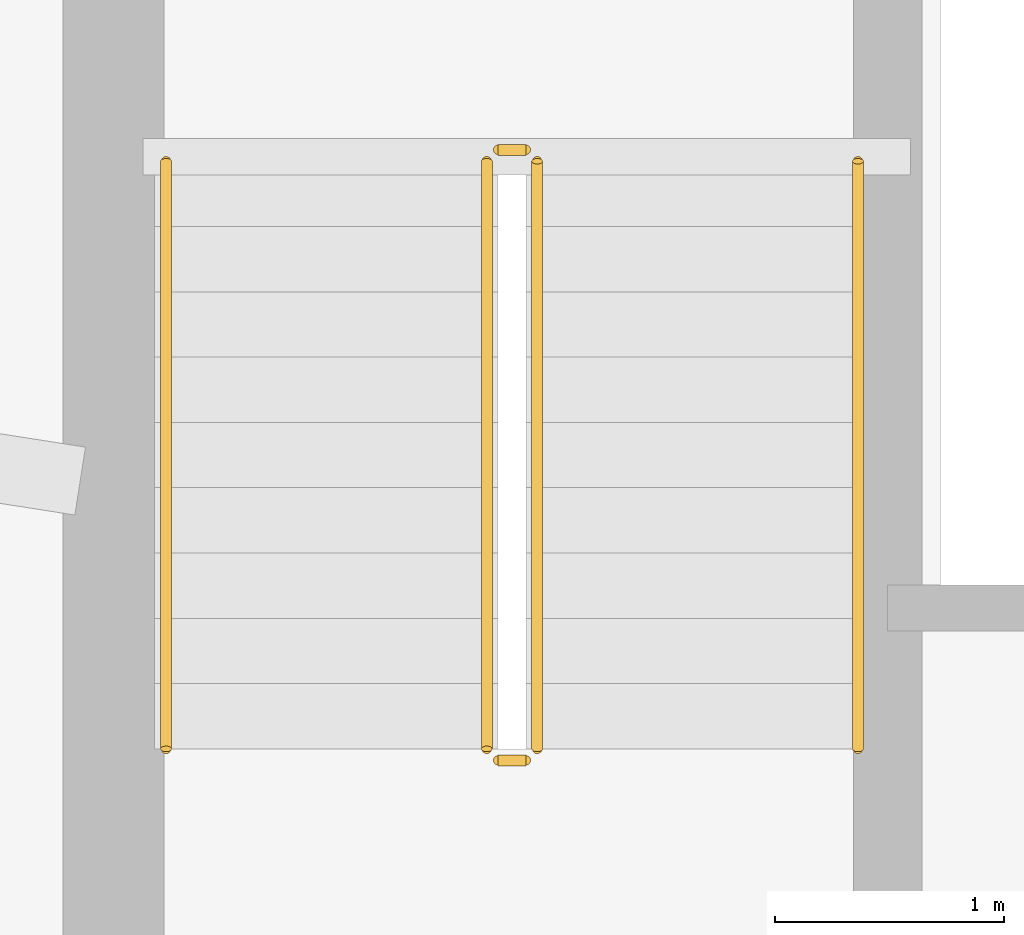
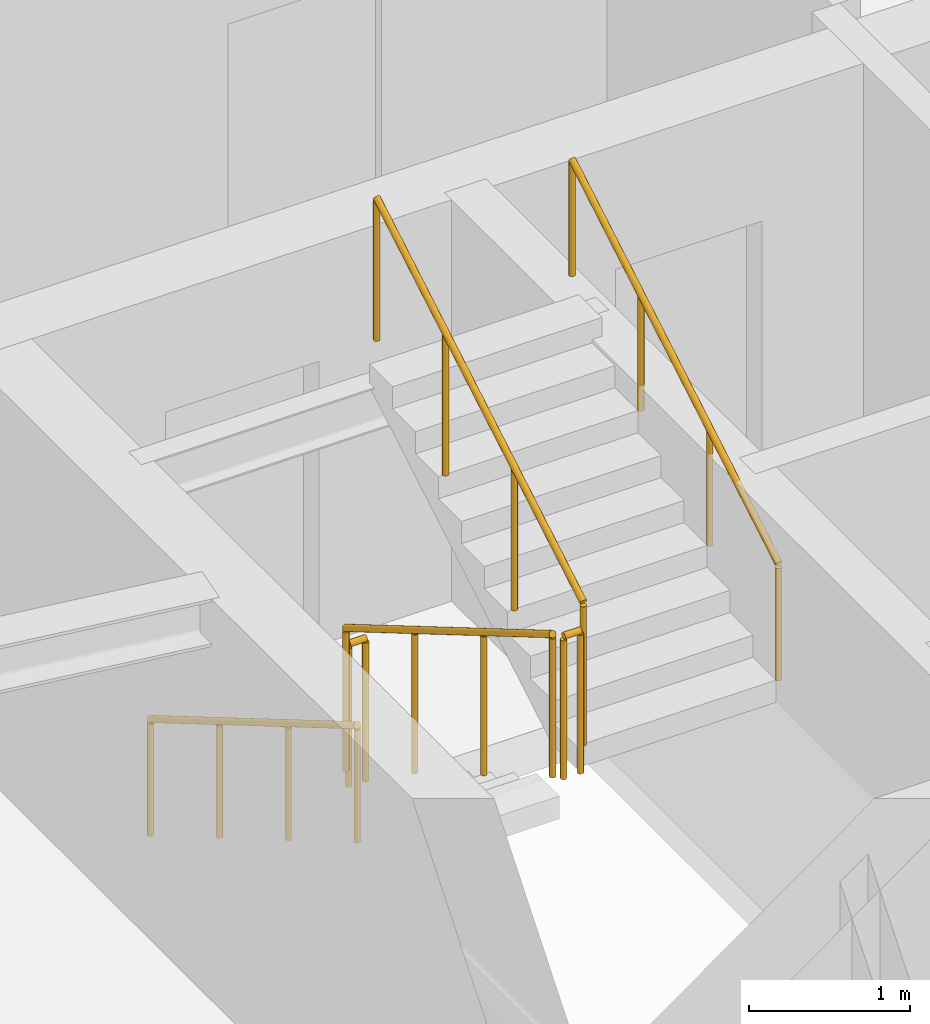
# One storey, part 9 of 10: 6 railings.
"""IFC4 building model written with IfcOpenShell, lengths in metres."""

import ifcopenshell
import ifcopenshell.guid

model = None  # the IFC model being written
_history = None  # IfcOwnerHistory: only IFC2X3 demands one
_inside = {}  # id of a spatial element -> (the spatial element, [elements in it])
_under = {}  # id of a project, library or spatial element -> (it, [spatial elements below it])
_declared = {}  # id of a project -> (the project, [libraries it declares])
_typed = {}  # id of a type object -> (the type object, [elements of that type])
_made_of = {}  # id of a material, layer set ... -> (it, [elements and type objects made of it])


def new_model(schema):
    """Start an empty IFC model of exactly this schema.

    Asked for "IFC4X3", IfcOpenShell would pick the latest addendum, in which some entities
    have other attributes; the version numbers below select the first issue.
    IFC2X3 requires an IfcOwnerHistory on every rooted entity: one is made here for all.
    """
    global model, _history
    if schema == "IFC4X3":
        model = ifcopenshell.file(schema_version=(4, 3, 0, 0))
    else:
        model = ifcopenshell.file(schema=schema)
    _inside.clear()
    _under.clear()
    _declared.clear()
    _typed.clear()
    _made_of.clear()
    _history = None
    if model.schema == "IFC2X3":
        org = make("IfcOrganization", Name="unknown")
        user = make(
            "IfcPersonAndOrganization",
            ThePerson=make("IfcPerson", FamilyName="unknown"),
            TheOrganization=org,
        )
        app = make(
            "IfcApplication",
            ApplicationDeveloper=org,
            Version="unknown",
            ApplicationFullName="unknown",
            ApplicationIdentifier="unknown",
        )
        _history = make(
            "IfcOwnerHistory",
            OwningUser=user,
            OwningApplication=app,
            ChangeAction="ADDED",
            CreationDate=0,
        )
    return model


def make(cls, **values):
    """One entity of the class cls with the attributes given. An attribute that is None is left unset."""
    return model.create_entity(
        cls, **{name: value for name, value in values.items() if value is not None}
    )


def rooted(cls, **values):
    """An entity with a GlobalId (a new one), such as an element, a storey or a relation."""
    return make(cls, GlobalId=ifcopenshell.guid.new(), OwnerHistory=_history, **values)


def si_unit(unit_type, name, prefix=None):
    """IfcSIUnit, for example si_unit("LENGTHUNIT", "METRE", prefix="MILLI")."""
    return make("IfcSIUnit", UnitType=unit_type, Prefix=prefix, Name=name)


def assignment(units):
    """IfcUnitAssignment: the units of a project."""
    return None if units is None else make("IfcUnitAssignment", Units=units)


def point(xyz):
    """IfcCartesianPoint."""
    return None if xyz is None else make("IfcCartesianPoint", Coordinates=xyz)


def direction(xyz):
    """IfcDirection."""
    return None if xyz is None else make("IfcDirection", DirectionRatios=xyz)


def frame(location, z_axis=None, x_axis=None):
    """IfcAxis2Placement3D, a coordinate frame: its origin and axes. An axis left out is left unset."""
    return make(
        "IfcAxis2Placement3D",
        Location=point(location),
        Axis=direction(z_axis),
        RefDirection=direction(x_axis),
    )


def frame_2d(location, x_axis=None):
    """IfcAxis2Placement2D, a coordinate frame in the plane: its origin and x axis."""
    return make(
        "IfcAxis2Placement2D", Location=point(location), RefDirection=direction(x_axis)
    )


def origin():
    """The frame at (0, 0, 0) with its axes left unset."""
    return frame((0.0, 0.0, 0.0))


def origin_2d():
    """The frame at (0, 0) in the plane with its x axis left unset."""
    return frame_2d((0.0, 0.0))


def place(relative_to, where):
    """IfcLocalPlacement: puts the frame where relative to a parent placement (None: the world)."""
    return make(
        "IfcLocalPlacement", PlacementRelTo=relative_to, RelativePlacement=where
    )


def context(
    kind, dimensions, precision=None, world=None, true_north=None, identifier=None
):
    """IfcGeometricRepresentationContext, for example the 3D "Model" context."""
    return make(
        "IfcGeometricRepresentationContext",
        ContextIdentifier=identifier,
        ContextType=kind,
        CoordinateSpaceDimension=dimensions,
        Precision=precision,
        WorldCoordinateSystem=world,
        TrueNorth=true_north,
    )


def subcontext(parent, identifier, kind, view, scale=None):
    """IfcGeometricRepresentationSubContext, for example "Body" below "Model"."""
    return make(
        "IfcGeometricRepresentationSubContext",
        ContextIdentifier=identifier,
        ContextType=kind,
        ParentContext=parent,
        TargetScale=scale,
        TargetView=view,
    )


def project(units=None, contexts=None):
    """IfcProject with its units and contexts."""
    return rooted(
        "IfcProject",
        Name="project",
        RepresentationContexts=contexts,
        UnitsInContext=assignment(units),
    )


def spatial(cls, under=None, at=None, **own):
    """A site, building, storey or space (cls), placed at a placement, below another one or the project."""
    s = rooted(cls, ObjectPlacement=at, **own)
    if under is not None:
        _under.setdefault(under.id(), (under, []))[1].append(s)
    return s


def profile(cls, at=None, kind="AREA", **sizes):
    """A parametric profile (cls). Its sizes go by their IFC names, for example OverallWidth=200.0."""
    return make(cls, ProfileType=kind, Position=at, **sizes)


def circle(**sizes):
    """IfcCircleProfileDef."""
    return profile("IfcCircleProfileDef", **sizes)


def extrude(swept, where, along, depth):
    """IfcExtrudedAreaSolid: the profile swept, set in the frame where, extruded along a direction by depth."""
    return make(
        "IfcExtrudedAreaSolid",
        SweptArea=swept,
        Position=where,
        ExtrudedDirection=direction(along),
        Depth=depth,
    )


def shape(context_of_items, identifier, shape_type, items):
    """IfcShapeRepresentation: the items that make up one representation, for example the "Body"."""
    return make(
        "IfcShapeRepresentation",
        ContextOfItems=context_of_items,
        RepresentationIdentifier=identifier,
        RepresentationType=shape_type,
        Items=items,
    )


def material(Name=None, Category=None):
    """IfcMaterial."""
    return make("IfcMaterial", Name=Name, Category=Category)


def made_of(thing, what):
    """Note that an element or type object is made of a material, layer set ...; save() writes the relation."""
    if what is not None:
        _made_of.setdefault(what.id(), (what, []))[1].append(thing)
    return thing


def type_object(cls, material=None, **own):
    """A type object (cls), such as IfcWallType, which elements share."""
    return made_of(rooted(cls, **own), material)


def element(
    cls,
    number,
    at=None,
    inside=None,
    cuts=None,
    type_object=None,
    material=None,
    context=None,
    identifier="Body",
    shape_type=None,
    held_by="IfcProductDefinitionShape",
    body=None,
    shapes=None,
    **own,
):
    """One element of the class cls, such as IfcWall. Its Tag is "e" and its number.

    at: its placement. inside: the storey or other place that contains it. cuts: it is an
    opening in that element (IfcRelVoidsElement). A single representation is given by context,
    identifier, shape_type and body (its items); several are given by shapes. held_by: the class
    of the entity that holds the representations. save() writes the other relations.
    """
    e = rooted(cls, Tag="e%d" % number, ObjectPlacement=at, **own)
    if body is not None:
        shapes = [shape(context, identifier, shape_type, body)]
    if shapes is not None:
        e.Representation = make(held_by, Representations=shapes)
    if inside is not None:
        _inside.setdefault(inside.id(), (inside, []))[1].append(e)
    if cuts is not None:
        rooted(
            "IfcRelVoidsElement", RelatingBuildingElement=cuts, RelatedOpeningElement=e
        )
    if type_object is not None:
        _typed.setdefault(type_object.id(), (type_object, []))[1].append(e)
    return made_of(e, material)


def aggregate(whole, parts):
    """IfcRelAggregates: a whole, such as a stair, and the parts it consists of."""
    return rooted("IfcRelAggregates", RelatingObject=whole, RelatedObjects=parts)


def save(model, path):
    """Write the relations noted so far, then the file.

    IfcRelAggregates (storeys below a building ...), IfcRelContainedInSpatialStructure (elements
    in a storey), IfcRelDefinesByType, IfcRelAssociatesMaterial and IfcRelDeclares: one each for
    every whole, place, type object, material and project.
    """
    for whole, parts in _under.values():
        aggregate(whole, parts)
    for where, things in _inside.values():
        rooted(
            "IfcRelContainedInSpatialStructure",
            RelatedElements=things,
            RelatingStructure=where,
        )
    for kind, things in _typed.values():
        rooted("IfcRelDefinesByType", RelatedObjects=things, RelatingType=kind)
    for what, things in _made_of.values():
        rooted("IfcRelAssociatesMaterial", RelatedObjects=things, RelatingMaterial=what)
    for by, libraries in _declared.values():
        rooted("IfcRelDeclares", RelatingContext=by, RelatedDefinitions=libraries)
    model.write(path)


model = new_model("IFC4")

# Units and contexts
model_context = context("Model", 3, precision=1e-05, world=origin(), true_north=direction((0.0, 1.0)))
body_context = subcontext(model_context, "Body", "Model", "MODEL_VIEW")
ifc_project = project(units=[si_unit("LENGTHUNIT", "METRE"), si_unit("AREAUNIT", "SQUARE_METRE"), si_unit("VOLUMEUNIT", "CUBIC_METRE"), si_unit("PLANEANGLEUNIT", "RADIAN"), si_unit("MASSUNIT", "GRAM", prefix="KILO")], contexts=[model_context])

# Site, building, storey
site_placement = place(None, origin())
site = spatial("IfcSite", under=ifc_project, at=site_placement, CompositionType="ELEMENT")
building_placement = place(site_placement, origin())
building = spatial("IfcBuilding", under=site, at=building_placement, Name="Qobustan Lattice House", CompositionType="ELEMENT")
storey_placement = place(building_placement, frame((0.0, 0.0, 231.64990234375)))
storey = spatial("IfcBuildingStorey", under=building, at=storey_placement, Name="L65", CompositionType="ELEMENT", Elevation=231.64990234375)

# Railings
ifc_material_1 = material(Name="Brushed stainless steel handrail", Category="steel")
railing_type_1 = type_object("IfcRailingType", Name="RAL-HR-920", PredefinedType="HANDRAIL", material=ifc_material_1)
railing_1_placement = place(storey_placement, frame((-18.199951171875, 3.5, 0.16748046875)))
element("IfcRailing", 1, at=railing_1_placement, inside=storey, type_object=railing_type_1, Name="L65 ST-W1 stair handrail 1", PredefinedType="HANDRAIL", context=body_context, shape_type="SweptSolid", body=[
    extrude(circle(Radius=0.02392578125, at=origin_2d()), frame((0.0, 0.0, 0.8759765625), z_axis=(0.0, -0.862113467892, 0.50671527358), x_axis=(1.0, 0.0, 0.0)), (0.0, 0.0, 1.0), 2.97509765625),
    extrude(circle(Radius=0.02099609375, at=origin_2d()), origin(), (0.0, 0.0, 1.0), 0.851806640625),
    extrude(circle(Radius=0.02099609375, at=origin_2d()), frame((0.0, -0.85498046875, 0.50244140625)), (0.0, 0.0, 1.0), 0.851806640625),
    extrude(circle(Radius=0.02099609375, at=origin_2d()), frame((0.0, -1.7099609375, 1.005126953125)), (0.0, 0.0, 1.0), 0.851806640625),
    extrude(circle(Radius=0.02099609375, at=origin_2d()), frame((0.0, -2.56494140625, 1.507568359375)), (0.0, 0.0, 1.0), 0.851806640625),
])
railing_2_placement = place(storey_placement, frame((-15.179931640625, 0.93505859375, 1.842529296875)))
element("IfcRailing", 2, at=railing_2_placement, inside=storey, type_object=railing_type_1, Name="L65 ST-W1 stair handrail 2", PredefinedType="HANDRAIL", context=body_context, shape_type="SweptSolid", body=[
    extrude(circle(Radius=0.02392578125, at=origin_2d()), frame((0.0, 0.0, 0.8759765625), z_axis=(0.0, 0.862113467892, 0.50671527358), x_axis=(-1.0, 0.0, 0.0)), (0.0, 0.0, 1.0), 2.97509765625),
    extrude(circle(Radius=0.02099609375, at=origin_2d()), origin(), (0.0, 0.0, 1.0), 0.851806640625),
    extrude(circle(Radius=0.02099609375, at=origin_2d()), frame((0.0, 0.85498046875, 0.50244140625)), (0.0, 0.0, 1.0), 0.851806640625),
    extrude(circle(Radius=0.02099609375, at=origin_2d()), frame((0.0, 1.7099609375, 1.005126953125)), (0.0, 0.0, 1.0), 0.851806640625),
    extrude(circle(Radius=0.02099609375, at=origin_2d()), frame((0.0, 2.56494140625, 1.507568359375)), (0.0, 0.0, 1.0), 0.851806640625),
])
ifc_material_2 = material(Name="Painted galvanized steel guardrail", Category="steel")
railing_type_2 = type_object("IfcRailingType", Name="RAL-STG-1150", PredefinedType="GUARDRAIL", material=ifc_material_2)
railing_3_placement = place(storey_placement, frame((-16.800048828125, 3.5, 0.16748046875)))
element("IfcRailing", 3, at=railing_3_placement, inside=storey, type_object=railing_type_2, Name="L65 ST-W1 stair guard 1", PredefinedType="GUARDRAIL", context=body_context, shape_type="SweptSolid", body=[
    extrude(circle(Radius=0.02392578125, at=origin_2d()), frame((0.0, 0.0, 1.076171875), z_axis=(0.0, -0.862113467892, 0.50671527358), x_axis=(1.0, 0.0, 0.0)), (0.0, 0.0, 1.0), 2.97509765625),
    extrude(circle(Radius=0.02099609375, at=origin_2d()), origin(), (0.0, 0.0, 1.0), 1.052001953125),
    extrude(circle(Radius=0.02099609375, at=origin_2d()), frame((0.0, -0.85498046875, 0.50244140625)), (0.0, 0.0, 1.0), 1.052001953125),
    extrude(circle(Radius=0.02099609375, at=origin_2d()), frame((0.0, -1.7099609375, 1.005126953125)), (0.0, 0.0, 1.0), 1.052001953125),
    extrude(circle(Radius=0.02099609375, at=origin_2d()), frame((0.0, -2.56494140625, 1.507568359375)), (0.0, 0.0, 1.0), 1.052001953125),
])
railing_4_placement = place(storey_placement, frame((-16.75, 0.885009765625, 1.675048828125)))
element("IfcRailing", 4, at=railing_4_placement, inside=storey, type_object=railing_type_2, Name="L65 ST-W1 stair guard 2", PredefinedType="GUARDRAIL", context=body_context, shape_type="SweptSolid", body=[
    extrude(circle(Radius=0.02392578125, at=origin_2d()), frame((0.0, 0.0, 1.076171875), z_axis=(1.0, 0.0, 0.0), x_axis=(0.0, 1.0, 0.0)), (0.0, 0.0, 1.0), 0.1201171875),
    extrude(circle(Radius=0.02099609375, at=origin_2d()), origin(), (0.0, 0.0, 1.0), 1.052001953125),
    extrude(circle(Radius=0.02099609375, at=origin_2d()), frame((0.1201171875, 0.0, 0.0)), (0.0, 0.0, 1.0), 1.052001953125),
])
railing_5_placement = place(storey_placement, frame((-16.580078125, 0.93505859375, 1.842529296875)))
element("IfcRailing", 5, at=railing_5_placement, inside=storey, type_object=railing_type_2, Name="L65 ST-W1 stair guard 3", PredefinedType="GUARDRAIL", context=body_context, shape_type="SweptSolid", body=[
    extrude(circle(Radius=0.02392578125, at=origin_2d()), frame((0.0, 0.0, 1.076171875), z_axis=(0.0, 0.862113467892, 0.50671527358), x_axis=(-1.0, 0.0, 0.0)), (0.0, 0.0, 1.0), 2.97509765625),
    extrude(circle(Radius=0.02099609375, at=origin_2d()), origin(), (0.0, 0.0, 1.0), 1.052001953125),
    extrude(circle(Radius=0.02099609375, at=origin_2d()), frame((0.0, 0.85498046875, 0.50244140625)), (0.0, 0.0, 1.0), 1.052001953125),
    extrude(circle(Radius=0.02099609375, at=origin_2d()), frame((0.0, 1.7099609375, 1.005126953125)), (0.0, 0.0, 1.0), 1.052001953125),
    extrude(circle(Radius=0.02099609375, at=origin_2d()), frame((0.0, 2.56494140625, 1.507568359375)), (0.0, 0.0, 1.0), 1.052001953125),
])
railing_6_placement = place(storey_placement, frame((-16.75, 3.550048828125, 0.0)))
element("IfcRailing", 6, at=railing_6_placement, inside=storey, type_object=railing_type_2, Name="L65 ST-W1 stair guard 4", PredefinedType="GUARDRAIL", context=body_context, shape_type="SweptSolid", body=[
    extrude(circle(Radius=0.02392578125, at=origin_2d()), frame((0.0, 0.0, 1.076171875), z_axis=(1.0, 0.0, 0.0), x_axis=(0.0, 1.0, 0.0)), (0.0, 0.0, 1.0), 0.1201171875),
    extrude(circle(Radius=0.02099609375, at=origin_2d()), origin(), (0.0, 0.0, 1.0), 1.052001953125),
    extrude(circle(Radius=0.02099609375, at=origin_2d()), frame((0.1201171875, 0.0, 0.0)), (0.0, 0.0, 1.0), 1.052001953125),
])

save(model, "model.ifc")
